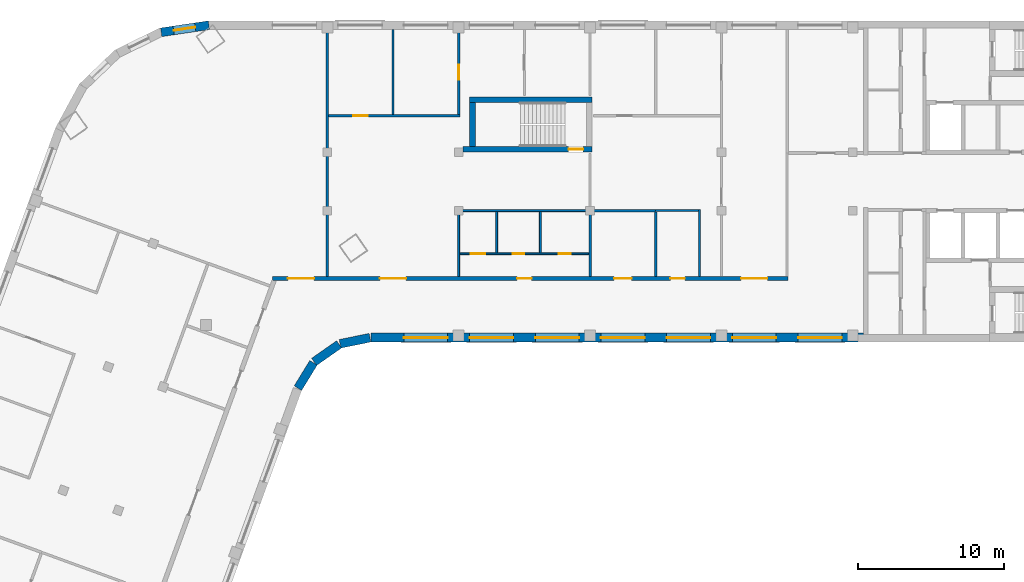
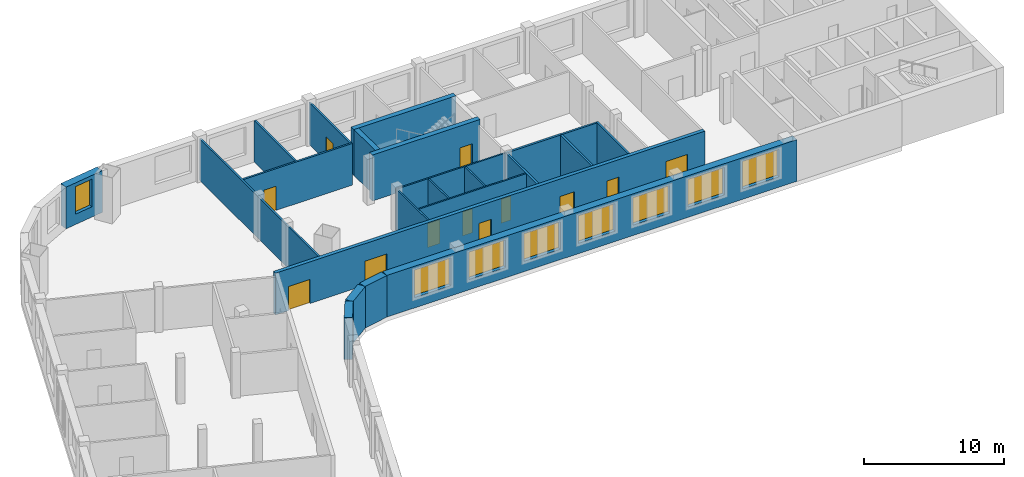
# One storey, part 4 of 8: 23 walls, 12 doors, 8 windows, 20 openings.
"""IFC4 building model written with IfcOpenShell, lengths in metres."""

from ifc_helpers import new_model, si_unit, direction, frame, frame_2d, origin, place, context, subcontext, project, spatial, rectangle, extrude, material, layer, layer_set, type_object, element, fill, save


model = new_model("IFC4")

# Units and contexts
model_context = context("Model", 3, precision=1e-05, world=origin(), true_north=direction((0.0, 1.0)))
body_context = subcontext(model_context, "Body", "Model", "MODEL_VIEW")
ifc_project = project(units=[si_unit("LENGTHUNIT", "METRE"), si_unit("AREAUNIT", "SQUARE_METRE"), si_unit("VOLUMEUNIT", "CUBIC_METRE"), si_unit("PLANEANGLEUNIT", "RADIAN"), si_unit("MASSUNIT", "GRAM", prefix="KILO")], contexts=[model_context])

# Site, building, storey
site_placement = place(None, origin())
site = spatial("IfcSite", under=ifc_project, at=site_placement, CompositionType="ELEMENT")
building_placement = place(site_placement, origin())
building = spatial("IfcBuilding", under=site, at=building_placement, Name="Skarvind Civic Tower", CompositionType="ELEMENT")
storey_placement = place(building_placement, frame((0.0, 0.0, 224.0)))
storey = spatial("IfcBuildingStorey", under=building, at=storey_placement, Name="L53", CompositionType="ELEMENT", Elevation=224.0)

# Walls
ifc_material_1 = material(Name="Acoustic gypsum board on steel studs", Category="steel")
ifc_layer_1 = layer(ifc_material_1, 0.175048828125)
ifc_layer_set_1 = layer_set([ifc_layer_1], Name="ACOUSTIC MEETING-ROOM PARTITION 175")
wall_type_1 = type_object("IfcWallType", Name="ACOUSTIC MEETING-ROOM PARTITION 175", PredefinedType="PARTITIONING", material=ifc_layer_set_1)
for number, where, z_axis, x_axis, name in (
    (1, (72.25, 121.5, 0.0), (0.0, 0.0, 1.0), (0.0, 1.0, 0.0), "Partition 53.027"),
    (2, (72.25, 126.0, 0.0), (0.0, 0.0, 1.0), (1.0, 0.0, 0.0), "Partition 53.029"),
):
    element("IfcWall", number, at=place(storey_placement, frame(where, z_axis=z_axis, x_axis=x_axis)), inside=storey, type_object=wall_type_1, Name=name, PredefinedType="PARTITIONING", context=body_context, shape_type="SweptSolid", body=[
        extrude(rectangle(XDim=4.5, YDim=0.175048828125, at=frame_2d((2.25, 0.0))), origin(), (0.0, 0.0, 1.0), 3.625),
    ])
wall_1_placement = place(storey_placement, frame((76.75, 125.912109375, 0.0), z_axis=(0.0, 0.0, 1.0), x_axis=(0.0, -1.0, 0.0)))
element("IfcWall", 3, at=wall_1_placement, inside=storey, type_object=wall_type_1, Name="Partition 53.032", PredefinedType="PARTITIONING", context=body_context, shape_type="SweptSolid", body=[
    extrude(rectangle(XDim=4.412109375, YDim=0.175048828125, at=frame_2d((2.2060546875, 0.0))), origin(), (0.0, 0.0, 1.0), 3.625),
])

# Wall, openings, doors
ifc_material_2 = material(Name="Fire-rated gypsum board on steel studs", Category="steel")
ifc_layer_2 = layer(ifc_material_2, 0.300048828125)
ifc_layer_set_2 = layer_set([ifc_layer_2], Name="CORRIDOR WALL 300")
wall_type_2 = type_object("IfcWallType", Name="CORRIDOR WALL 300", PredefinedType="PARTITIONING", material=ifc_layer_set_2)
wall_2_placement = place(storey_placement, frame((50.506103515625, 121.35009765625, 0.0), z_axis=(0.0, 0.0, 1.0), x_axis=(1.0, 0.0, 0.0)))
wall_2 = element("IfcWall", 4, at=wall_2_placement, inside=storey, type_object=wall_type_2, Name="Partition 53.016", PredefinedType="PARTITIONING", context=body_context, shape_type="SweptSolid", body=[
    extrude(rectangle(XDim=35.31884765625, YDim=0.300048828125, at=frame_2d((17.659423828125, 0.0))), origin(), (0.0, 0.0, 1.0), 3.625),
])
opening_1_placement = place(wall_2_placement, frame((27.243896484375, 0.0, 0.0)))
opening_1 = element("IfcOpeningElement", 5, at=opening_1_placement, cuts=wall_2, Name="Opening L53-D002", PredefinedType="OPENING", context=body_context, shape_type="SweptSolid", body=[
    extrude(rectangle(XDim=1.0, YDim=2.10009765625, at=frame_2d((0.5, 1.050048828125))), frame((0.0, 0.159912109375, 0.0), z_axis=(0.0, -1.0, 0.0), x_axis=(1.0, 0.0, 0.0)), (0.0, 0.0, 1.0), 0.320068359375),
])
opening_2_placement = place(wall_2_placement, frame((23.39404296875, 0.0, 0.0)))
opening_2 = element("IfcOpeningElement", 6, at=opening_2_placement, cuts=wall_2, Name="Opening L53-D003", PredefinedType="OPENING", context=body_context, shape_type="SweptSolid", body=[
    extrude(rectangle(XDim=1.199951171875, YDim=2.10009765625, at=frame_2d((0.60009765625, 1.050048828125))), frame((0.0, 0.159912109375, 0.0), z_axis=(0.0, -1.0, 0.0), x_axis=(1.0, 0.0, 0.0)), (0.0, 0.0, 1.0), 0.320068359375),
])
opening_3_placement = place(wall_2_placement, frame((32.093994140625, 0.0, 0.0)))
opening_3 = element("IfcOpeningElement", 7, at=opening_3_placement, cuts=wall_2, Name="Opening L53-D006", PredefinedType="OPENING", context=body_context, shape_type="SweptSolid", body=[
    extrude(rectangle(XDim=1.800048828125, YDim=2.10009765625, at=frame_2d((0.89990234375, 1.050048828125))), frame((0.0, 0.159912109375, 0.0), z_axis=(0.0, -1.0, 0.0), x_axis=(1.0, 0.0, 0.0)), (0.0, 0.0, 1.0), 0.320068359375),
])
opening_4_placement = place(wall_2_placement, frame((16.743896484375, 0.0, 0.0)))
opening_4 = element("IfcOpeningElement", 8, at=opening_4_placement, cuts=wall_2, Name="Opening L53-D007", PredefinedType="OPENING", context=body_context, shape_type="SweptSolid", body=[
    extrude(rectangle(XDim=1.0, YDim=2.10009765625, at=frame_2d((0.5, 1.050048828125))), frame((0.0, 0.159912109375, 0.0), z_axis=(0.0, -1.0, 0.0), x_axis=(1.0, 0.0, 0.0)), (0.0, 0.0, 1.0), 0.320068359375),
])
opening_5_placement = place(wall_2_placement, frame((7.343994140625, 0.0, 0.0)))
opening_5 = element("IfcOpeningElement", 9, at=opening_5_placement, cuts=wall_2, Name="Opening L53-D014", PredefinedType="OPENING", context=body_context, shape_type="SweptSolid", body=[
    extrude(rectangle(XDim=1.800048828125, YDim=2.10009765625, at=frame_2d((0.89990234375, 1.050048828125))), frame((0.0, 0.159912109375, 0.0), z_axis=(0.0, -1.0, 0.0), x_axis=(1.0, 0.0, 0.0)), (0.0, 0.0, 1.0), 0.320068359375),
])
opening_6_placement = place(wall_2_placement, frame((1.047119140625, 0.0, 0.0)))
opening_6 = element("IfcOpeningElement", 10, at=opening_6_placement, cuts=wall_2, Name="Opening L53-D022", PredefinedType="OPENING", context=body_context, shape_type="SweptSolid", body=[
    extrude(rectangle(XDim=1.800048828125, YDim=2.10009765625, at=frame_2d((0.89990234375, 1.050048828125))), frame((0.0, 0.159912109375, 0.0), z_axis=(0.0, -1.0, 0.0), x_axis=(1.0, 0.0, 0.0)), (0.0, 0.0, 1.0), 0.320068359375),
])
ifc_material_3 = material(Name="Fire-rated timber door leaf", Category="wood")
door_type_1 = type_object("IfcDoorType", Name="FD1 1000x2100", OperationType="NOTDEFINED", PredefinedType="DOOR", material=ifc_material_3)
door_1_placement = place(opening_1_placement, origin())
door_1 = element("IfcDoor", 11, at=door_1_placement, inside=storey, type_object=door_type_1, Name="Door L53-D002", OperationType="SINGLE_SWING_LEFT", OverallHeight=2.10009765625, OverallWidth=1.0, PredefinedType="DOOR", context=body_context, shape_type="SweptSolid", body=[
    extrude(rectangle(XDim=1.0, YDim=2.10009765625, at=frame_2d((0.5, 1.050048828125))), frame((0.0, 0.02490234375, 0.0), z_axis=(0.0, -1.0, 0.0), x_axis=(1.0, 0.0, 0.0)), (0.0, 0.0, 1.0), 0.050048828125),
])
fill(opening_1, door_1)
door_2_placement = place(opening_4_placement, origin())
door_2 = element("IfcDoor", 12, at=door_2_placement, inside=storey, type_object=door_type_1, Name="Door L53-D007", OperationType="SINGLE_SWING_LEFT", OverallHeight=2.10009765625, OverallWidth=1.0, PredefinedType="DOOR", context=body_context, shape_type="SweptSolid", body=[
    extrude(rectangle(XDim=1.0, YDim=2.10009765625, at=frame_2d((0.5, 1.050048828125))), frame((0.0, 0.02490234375, 0.0), z_axis=(0.0, -1.0, 0.0), x_axis=(1.0, 0.0, 0.0)), (0.0, 0.0, 1.0), 0.050048828125),
])
fill(opening_4, door_2)
door_type_2 = type_object("IfcDoorType", Name="FD4 1800x2100", OperationType="NOTDEFINED", PredefinedType="DOOR", material=ifc_material_3)
door_3_placement = place(opening_3_placement, origin())
door_3 = element("IfcDoor", 13, at=door_3_placement, inside=storey, type_object=door_type_2, Name="Door L53-D006", OperationType="DOUBLE_DOOR_SINGLE_SWING", OverallHeight=2.10009765625, OverallWidth=1.800048828125, PredefinedType="DOOR", context=body_context, shape_type="SweptSolid", body=[
    extrude(rectangle(XDim=1.800048828125, YDim=2.10009765625, at=frame_2d((0.89990234375, 1.050048828125))), frame((0.0, 0.02490234375, 0.0), z_axis=(0.0, -1.0, 0.0), x_axis=(1.0, 0.0, 0.0)), (0.0, 0.0, 1.0), 0.050048828125),
])
fill(opening_3, door_3)
door_4_placement = place(opening_5_placement, origin())
door_4 = element("IfcDoor", 14, at=door_4_placement, inside=storey, type_object=door_type_2, Name="Door L53-D014", OperationType="DOUBLE_DOOR_SINGLE_SWING", OverallHeight=2.10009765625, OverallWidth=1.800048828125, PredefinedType="DOOR", context=body_context, shape_type="SweptSolid", body=[
    extrude(rectangle(XDim=1.800048828125, YDim=2.10009765625, at=frame_2d((0.89990234375, 1.050048828125))), frame((0.0, 0.02490234375, 0.0), z_axis=(0.0, -1.0, 0.0), x_axis=(1.0, 0.0, 0.0)), (0.0, 0.0, 1.0), 0.050048828125),
])
fill(opening_5, door_4)
door_5_placement = place(opening_6_placement, origin())
door_5 = element("IfcDoor", 15, at=door_5_placement, inside=storey, type_object=door_type_2, Name="Door L53-D022", OperationType="DOUBLE_DOOR_SINGLE_SWING", OverallHeight=2.10009765625, OverallWidth=1.800048828125, PredefinedType="DOOR", context=body_context, shape_type="SweptSolid", body=[
    extrude(rectangle(XDim=1.800048828125, YDim=2.10009765625, at=frame_2d((0.89990234375, 1.050048828125))), frame((0.0, 0.02490234375, 0.0), z_axis=(0.0, -1.0, 0.0), x_axis=(1.0, 0.0, 0.0)), (0.0, 0.0, 1.0), 0.050048828125),
])
fill(opening_6, door_5)
door_type_3 = type_object("IfcDoorType", Name="FD6 1200x2100 DOUBLE", OperationType="NOTDEFINED", PredefinedType="DOOR", material=ifc_material_3)
door_6_placement = place(opening_2_placement, origin())
door_6 = element("IfcDoor", 16, at=door_6_placement, inside=storey, type_object=door_type_3, Name="Door L53-D003", OperationType="DOUBLE_DOOR_SINGLE_SWING", OverallHeight=2.10009765625, OverallWidth=1.199951171875, PredefinedType="DOOR", context=body_context, shape_type="SweptSolid", body=[
    extrude(rectangle(XDim=1.199951171875, YDim=2.10009765625, at=frame_2d((0.60009765625, 1.050048828125))), frame((0.0, 0.02490234375, 0.0), z_axis=(0.0, -1.0, 0.0), x_axis=(1.0, 0.0, 0.0)), (0.0, 0.0, 1.0), 0.050048828125),
])
fill(opening_2, door_6)

# Wall, opening, door
ifc_material_4 = material(Name="Concrete C60", Category="concrete")
ifc_layer_3 = layer(ifc_material_4, 0.39990234375)
ifc_layer_set_3 = layer_set([ifc_layer_3], Name="Core wall 400 C60")
wall_type_3 = type_object("IfcWallType", Name="Core wall 400 C60", PredefinedType="SHEAR", material=ifc_layer_set_3)
wall_3_placement = place(storey_placement, frame((63.550048828125, 130.199951171875, 0.0), z_axis=(0.0, 0.0, 1.0), x_axis=(1.0, 0.0, 0.0)))
wall_3 = element("IfcWall", 17, at=wall_3_placement, inside=storey, type_object=wall_type_3, Name="Core wall CM inner L53", PredefinedType="SHEAR", context=body_context, shape_type="SweptSolid", body=[
    extrude(rectangle(XDim=8.849853515625, YDim=0.39990234375, at=frame_2d((4.4248046875, 0.0))), origin(), (0.0, 0.0, 1.0), 4.0),
])
opening_7_placement = place(wall_3_placement, frame((7.22509765625, 0.0, 0.0)))
opening_7 = element("IfcOpeningElement", 18, at=opening_7_placement, cuts=wall_3, Name="Opening D-L53-CM-01", PredefinedType="OPENING", context=body_context, shape_type="SweptSolid", body=[
    extrude(rectangle(XDim=1.0, YDim=2.10009765625, at=frame_2d((0.5, 1.050048828125))), frame((0.0, 0.2099609375, 0.0), z_axis=(0.0, -1.0, 0.0), x_axis=(1.0, 0.0, 0.0)), (0.0, 0.0, 1.0), 0.419921875),
])
ifc_material_5 = material(Name="Fire-rated steel door", Category="steel")
door_type_4 = type_object("IfcDoorType", Name="Fire door 1000", OperationType="NOTDEFINED", PredefinedType="DOOR", material=ifc_material_5)
door_7_placement = place(opening_7_placement, origin())
door_7 = element("IfcDoor", 19, at=door_7_placement, inside=storey, type_object=door_type_4, Name="Fire door", OperationType="SINGLE_SWING_LEFT", OverallHeight=2.10009765625, OverallWidth=1.0, PredefinedType="DOOR", context=body_context, shape_type="SweptSolid", body=[
    extrude(rectangle(XDim=1.0, YDim=2.10009765625, at=frame_2d((0.5, 1.050048828125))), frame((0.0, 0.02490234375, 0.0), z_axis=(0.0, -1.0, 0.0), x_axis=(1.0, 0.0, 0.0)), (0.0, 0.0, 1.0), 0.050048828125),
])
fill(opening_7, door_7)

# Walls
wall_4_placement = place(storey_placement, frame((64.0, 133.60009765625, 0.0), z_axis=(0.0, 0.0, 1.0), x_axis=(1.0, 0.0, 0.0)))
element("IfcWall", 20, at=wall_4_placement, inside=storey, type_object=wall_type_3, Name="Core wall CM outer L53", PredefinedType="SHEAR", context=body_context, shape_type="SweptSolid", body=[
    extrude(rectangle(XDim=8.39990234375, YDim=0.39990234375, at=frame_2d((4.199951171875, 0.0))), origin(), (0.0, 0.0, 1.0), 4.0),
])
wall_5_placement = place(storey_placement, frame((64.199951171875, 130.39990234375, 0.0), z_axis=(0.0, 0.0, 1.0), x_axis=(0.0, 1.0, 0.0)))
element("IfcWall", 21, at=wall_5_placement, inside=storey, type_object=wall_type_3, Name="Core wall CM west L53", PredefinedType="SHEAR", context=body_context, shape_type="SweptSolid", body=[
    extrude(rectangle(XDim=3.0, YDim=0.39990234375, at=frame_2d((1.5, 0.0))), origin(), (0.0, 0.0, 1.0), 4.0),
])
ifc_material_6 = material(Name="Plasterboard partition on steel studs", Category="steel")
ifc_layer_4 = layer(ifc_material_6, 0.14990234375)
ifc_layer_set_4 = layer_set([ifc_layer_4], Name="PARTITION 150")
wall_type_4 = type_object("IfcWallType", Name="PARTITION 150", PredefinedType="PARTITIONING", material=ifc_layer_set_4)
wall_6_placement = place(storey_placement, frame((54.25, 121.5, 0.0), z_axis=(0.0, 0.0, 1.0), x_axis=(0.0, 1.0, 0.0)))
element("IfcWall", 22, at=wall_6_placement, inside=storey, type_object=wall_type_4, Name="Partition 53.017", PredefinedType="PARTITIONING", context=body_context, shape_type="SweptSolid", body=[
    extrude(rectangle(XDim=16.89990234375, YDim=0.14990234375, at=frame_2d((8.449951171875, 0.0))), origin(), (0.0, 0.0, 1.0), 3.625),
])

# Wall, opening, door
wall_7_placement = place(storey_placement, frame((63.324951171875, 132.5, 0.0), z_axis=(0.0, 0.0, 1.0), x_axis=(-1.0, 0.0, 0.0)))
wall_7 = element("IfcWall", 23, at=wall_7_placement, inside=storey, type_object=wall_type_4, Name="Partition 53.018", PredefinedType="PARTITIONING", context=body_context, shape_type="SweptSolid", body=[
    extrude(rectangle(XDim=9.0, YDim=0.14990234375, at=frame_2d((4.5, 0.0))), origin(), (0.0, 0.0, 1.0), 3.625),
])
opening_8_placement = place(wall_7_placement, frame((6.297607421875, 0.0, 0.0)))
opening_8 = element("IfcOpeningElement", 24, at=opening_8_placement, cuts=wall_7, Name="Opening L53-D013", PredefinedType="OPENING", context=body_context, shape_type="SweptSolid", body=[
    extrude(rectangle(XDim=1.0, YDim=2.10009765625, at=frame_2d((0.5, 1.050048828125))), frame((0.0, 0.0849609375, 0.0), z_axis=(0.0, -1.0, 0.0), x_axis=(1.0, 0.0, 0.0)), (0.0, 0.0, 1.0), 0.169921875),
])
ifc_material_7 = material(Name="Timber door leaf", Category="wood")
door_type_5 = type_object("IfcDoorType", Name="D1 1000x2100", OperationType="NOTDEFINED", PredefinedType="DOOR", material=ifc_material_7)
door_8_placement = place(opening_8_placement, origin())
door_8 = element("IfcDoor", 25, at=door_8_placement, inside=storey, type_object=door_type_5, Name="Door L53-D013", OperationType="SINGLE_SWING_RIGHT", OverallHeight=2.10009765625, OverallWidth=1.0, PredefinedType="DOOR", context=body_context, shape_type="SweptSolid", body=[
    extrude(rectangle(XDim=1.0, YDim=2.10009765625, at=frame_2d((0.5, 1.050048828125))), frame((0.0, 0.02490234375, 0.0), z_axis=(0.0, -1.0, 0.0), x_axis=(1.0, 0.0, 0.0)), (0.0, 0.0, 1.0), 0.050048828125),
])
fill(opening_8, door_8)

# Wall
wall_8_placement = place(storey_placement, frame((58.75, 132.574951171875, 0.0), z_axis=(0.0, 0.0, 1.0), x_axis=(0.0, 1.0, 0.0)))
element("IfcWall", 26, at=wall_8_placement, inside=storey, type_object=wall_type_4, Name="Partition 53.019", PredefinedType="PARTITIONING", context=body_context, shape_type="SweptSolid", body=[
    extrude(rectangle(XDim=5.824951171875, YDim=0.14990234375, at=frame_2d((2.91259765625, 0.0))), origin(), (0.0, 0.0, 1.0), 3.625),
])

# Wall, opening, door
wall_9_placement = place(storey_placement, frame((63.25, 138.39990234375, 0.0), z_axis=(0.0, 0.0, 1.0), x_axis=(0.0, -1.0, 0.0)))
wall_9 = element("IfcWall", 27, at=wall_9_placement, inside=storey, type_object=wall_type_4, Name="Partition 53.023", PredefinedType="PARTITIONING", context=body_context, shape_type="SweptSolid", body=[
    extrude(rectangle(XDim=5.824951171875, YDim=0.14990234375, at=frame_2d((2.91259765625, 0.0))), origin(), (0.0, 0.0, 1.0), 3.625),
])
opening_9_placement = place(wall_9_placement, frame((2.422607421875, 0.0, 0.0)))
opening_9 = element("IfcOpeningElement", 28, at=opening_9_placement, cuts=wall_9, Name="Opening L53-D012", PredefinedType="OPENING", context=body_context, shape_type="SweptSolid", body=[
    extrude(rectangle(XDim=1.0, YDim=2.10009765625, at=frame_2d((0.5, 1.050048828125))), frame((0.0, 0.0849609375, 0.0), z_axis=(0.0, -1.0, 0.0), x_axis=(1.0, 0.0, 0.0)), (0.0, 0.0, 1.0), 0.169921875),
])
door_9_placement = place(opening_9_placement, origin())
door_9 = element("IfcDoor", 29, at=door_9_placement, inside=storey, type_object=door_type_5, Name="Door L53-D012", OperationType="SINGLE_SWING_LEFT", OverallHeight=2.10009765625, OverallWidth=1.0, PredefinedType="DOOR", context=body_context, shape_type="SweptSolid", body=[
    extrude(rectangle(XDim=1.0, YDim=2.10009765625, at=frame_2d((0.5, 1.050048828125))), frame((0.0, 0.02490234375, 0.0), z_axis=(0.0, -1.0, 0.0), x_axis=(1.0, 0.0, 0.0)), (0.0, 0.0, 1.0), 0.050048828125),
])
fill(opening_9, door_9)

# Walls
wall_10_placement = place(storey_placement, frame((79.75, 121.5, 0.0), z_axis=(0.0, 0.0, 1.0), x_axis=(0.0, 1.0, 0.0)))
element("IfcWall", 30, at=wall_10_placement, inside=storey, type_object=wall_type_4, Name="Partition 53.034", PredefinedType="PARTITIONING", context=body_context, shape_type="SweptSolid", body=[
    extrude(rectangle(XDim=4.574951171875, YDim=0.14990234375, at=frame_2d((2.28759765625, 0.0))), origin(), (0.0, 0.0, 1.0), 3.625),
])
wall_11_placement = place(storey_placement, frame((79.675048828125, 126.0, 0.0), z_axis=(0.0, 0.0, 1.0), x_axis=(-1.0, 0.0, 0.0)))
element("IfcWall", 31, at=wall_11_placement, inside=storey, type_object=wall_type_4, Name="Partition 53.035", PredefinedType="PARTITIONING", context=body_context, shape_type="SweptSolid", body=[
    extrude(rectangle(XDim=2.925048828125, YDim=0.14990234375, at=frame_2d((1.46240234375, 0.0))), origin(), (0.0, 0.0, 1.0), 3.625),
])
ifc_material_8 = material(Name="Moisture-resistant gypsum board on steel studs", Category="steel")
ifc_layer_5 = layer(ifc_material_8, 0.125)
ifc_layer_set_5 = layer_set([ifc_layer_5], Name="WC PARTITION 125")
wall_type_5 = type_object("IfcWallType", Name="WC PARTITION 125", PredefinedType="PARTITIONING", material=ifc_layer_set_5)
wall_12_placement = place(storey_placement, frame((63.25, 121.5, 0.0), z_axis=(0.0, 0.0, 1.0), x_axis=(0.0, 1.0, 0.0)))
element("IfcWall", 32, at=wall_12_placement, inside=storey, type_object=wall_type_5, Name="Partition 53.020", PredefinedType="PARTITIONING", context=body_context, shape_type="SweptSolid", body=[
    extrude(rectangle(XDim=4.43798828125, YDim=0.125, at=frame_2d((2.218994140625, 0.0))), origin(), (0.0, 0.0, 1.0), 3.625),
])

# Wall, openings, doors
wall_13_placement = place(storey_placement, frame((63.31201171875, 123.050048828125, 0.0), z_axis=(0.0, 0.0, 1.0), x_axis=(1.0, 0.0, 0.0)))
wall_13 = element("IfcWall", 33, at=wall_13_placement, inside=storey, type_object=wall_type_5, Name="Partition 53.021", PredefinedType="PARTITIONING", context=body_context, shape_type="SweptSolid", body=[
    extrude(rectangle(XDim=8.85009765625, YDim=0.125, at=frame_2d((4.425048828125, 0.0))), origin(), (0.0, 0.0, 1.0), 3.625),
])
opening_10_placement = place(wall_13_placement, frame((6.803955078125, 0.0, 0.0)))
opening_10 = element("IfcOpeningElement", 34, at=opening_10_placement, cuts=wall_13, Name="Opening L53-D008", PredefinedType="OPENING", context=body_context, shape_type="SweptSolid", body=[
    extrude(rectangle(XDim=0.800048828125, YDim=2.10009765625, at=frame_2d((0.39990234375, 1.050048828125))), frame((0.0, 0.072509765625, 0.0), z_axis=(0.0, -1.0, 0.0), x_axis=(1.0, 0.0, 0.0)), (0.0, 0.0, 1.0), 0.14501953125),
])
opening_11_placement = place(wall_13_placement, frame((3.637939453125, 0.0, 0.0)))
opening_11 = element("IfcOpeningElement", 35, at=opening_11_placement, cuts=wall_13, Name="Opening L53-D009", PredefinedType="OPENING", context=body_context, shape_type="SweptSolid", body=[
    extrude(rectangle(XDim=0.800048828125, YDim=2.10009765625, at=frame_2d((0.39990234375, 1.050048828125))), frame((0.0, 0.072509765625, 0.0), z_axis=(0.0, -1.0, 0.0), x_axis=(1.0, 0.0, 0.0)), (0.0, 0.0, 1.0), 0.14501953125),
])
opening_12_placement = place(wall_13_placement, frame((0.759033203125, 0.0, 0.0)))
opening_12 = element("IfcOpeningElement", 36, at=opening_12_placement, cuts=wall_13, Name="Opening L53-D010", PredefinedType="OPENING", context=body_context, shape_type="SweptSolid", body=[
    extrude(rectangle(XDim=1.0, YDim=2.10009765625, at=frame_2d((0.5, 1.050048828125))), frame((0.0, 0.072509765625, 0.0), z_axis=(0.0, -1.0, 0.0), x_axis=(1.0, 0.0, 0.0)), (0.0, 0.0, 1.0), 0.14501953125),
])
door_10_placement = place(opening_12_placement, origin())
door_10 = element("IfcDoor", 37, at=door_10_placement, inside=storey, type_object=door_type_5, Name="Door L53-D010", OperationType="SINGLE_SWING_LEFT", OverallHeight=2.10009765625, OverallWidth=1.0, PredefinedType="DOOR", context=body_context, shape_type="SweptSolid", body=[
    extrude(rectangle(XDim=1.0, YDim=2.10009765625, at=frame_2d((0.5, 1.050048828125))), frame((0.0, 0.02490234375, 0.0), z_axis=(0.0, -1.0, 0.0), x_axis=(1.0, 0.0, 0.0)), (0.0, 0.0, 1.0), 0.050048828125),
])
fill(opening_12, door_10)
door_type_6 = type_object("IfcDoorType", Name="DOOR 800X2100 TIMBER", OperationType="NOTDEFINED", PredefinedType="DOOR", material=ifc_material_7)
door_11_placement = place(opening_10_placement, origin())
door_11 = element("IfcDoor", 38, at=door_11_placement, inside=storey, type_object=door_type_6, Name="Door L53-D008", OperationType="SINGLE_SWING_RIGHT", OverallHeight=2.10009765625, OverallWidth=0.800048828125, PredefinedType="DOOR", context=body_context, shape_type="SweptSolid", body=[
    extrude(rectangle(XDim=0.800048828125, YDim=2.10009765625, at=frame_2d((0.39990234375, 1.050048828125))), frame((0.0, 0.02490234375, 0.0), z_axis=(0.0, -1.0, 0.0), x_axis=(1.0, 0.0, 0.0)), (0.0, 0.0, 1.0), 0.050048828125),
])
fill(opening_10, door_11)
door_12_placement = place(opening_11_placement, origin())
door_12 = element("IfcDoor", 39, at=door_12_placement, inside=storey, type_object=door_type_6, Name="Door L53-D009", OperationType="SINGLE_SWING_LEFT", OverallHeight=2.10009765625, OverallWidth=0.800048828125, PredefinedType="DOOR", context=body_context, shape_type="SweptSolid", body=[
    extrude(rectangle(XDim=0.800048828125, YDim=2.10009765625, at=frame_2d((0.39990234375, 1.050048828125))), frame((0.0, 0.02490234375, 0.0), z_axis=(0.0, -1.0, 0.0), x_axis=(1.0, 0.0, 0.0)), (0.0, 0.0, 1.0), 0.050048828125),
])
fill(opening_11, door_12)

# Walls
wall_14_placement = place(storey_placement, frame((63.18798828125, 126.0, 0.0), z_axis=(0.0, 0.0, 1.0), x_axis=(1.0, 0.0, 0.0)))
element("IfcWall", 40, at=wall_14_placement, inside=storey, type_object=wall_type_5, Name="Partition 53.022", PredefinedType="PARTITIONING", context=body_context, shape_type="SweptSolid", body=[
    extrude(rectangle(XDim=9.06201171875, YDim=0.125, at=frame_2d((4.531005859375, 0.0))), origin(), (0.0, 0.0, 1.0), 3.625),
])
for number, where, z_axis, x_axis, name in (
    (41, (65.85009765625, 125.93798828125, 0.0), (0.0, 0.0, 1.0), (0.0, -1.0, 0.0), "Partition 53.024"),
    (42, (68.85009765625, 125.93798828125, 0.0), (0.0, 0.0, 1.0), (0.0, -1.0, 0.0), "Partition 53.026"),
):
    element("IfcWall", number, at=place(storey_placement, frame(where, z_axis=z_axis, x_axis=x_axis)), inside=storey, type_object=wall_type_5, Name=name, PredefinedType="PARTITIONING", context=body_context, shape_type="SweptSolid", body=[
        extrude(rectangle(XDim=2.825927734375, YDim=0.125, at=frame_2d((1.4130859375, 0.0))), origin(), (0.0, 0.0, 1.0), 3.625),
    ])
ifc_material_9 = material(Name="Limestone masonry cladding on insulated backing", Category="masonry")
ifc_layer_6 = layer(ifc_material_9, 0.60009765625)
ifc_layer_set_6 = layer_set([ifc_layer_6], Name="WX1 STONE FACADE WALL 600")
wall_type_6 = type_object("IfcWallType", Name="WX1 STONE FACADE WALL 600", PredefinedType="SOLIDWALL", material=ifc_layer_set_6)
wall_15_placement = place(storey_placement, frame((53.30517578125, 115.578369140625, 0.0), z_axis=(0.0, 0.0, 1.0), x_axis=(-0.522402266438, -0.852699168535, 0.0)))
element("IfcWall", 43, at=wall_15_placement, inside=storey, type_object=wall_type_6, Name="STONE FACADE WALL", PredefinedType="SOLIDWALL", context=body_context, shape_type="SweptSolid", body=[
    extrude(rectangle(XDim=2.042236328125, YDim=0.60009765625, at=frame_2d((1.02099609375, 0.0))), origin(), (0.0, 0.0, 1.0), 3.625),
])
for number, where, z_axis, x_axis, name in (
    (44, (55.061767578125, 116.8388671875, 0.0), (0.0, 0.0, 1.0), (-0.819122269495, -0.573618956815, 0.0), "STONE FACADE WALL"),
    (45, (57.17529296875, 117.2939453125, 0.0), (0.0, 0.0, 1.0), (-0.97996099083, -0.19918949885, 0.0), "STONE FACADE WALL"),
):
    element("IfcWall", number, at=place(storey_placement, frame(where, z_axis=z_axis, x_axis=x_axis)), inside=storey, type_object=wall_type_6, Name=name, PredefinedType="SOLIDWALL", context=body_context, shape_type="SweptSolid", body=[
        extrude(rectangle(XDim=2.09228515625, YDim=0.60009765625, at=frame_2d((1.046142578125, 0.0))), origin(), (0.0, 0.0, 1.0), 3.625),
    ])

# Wall, openings, windows
wall_16_placement = place(storey_placement, frame((90.97998046875, 117.300048828125, 0.0), z_axis=(0.0, 0.0, 1.0), x_axis=(-1.0, 0.0, 0.0)))
wall_16 = element("IfcWall", 46, at=wall_16_placement, inside=storey, type_object=wall_type_6, Name="STONE FACADE WALL", PredefinedType="SOLIDWALL", context=body_context, shape_type="SweptSolid", body=[
    extrude(rectangle(XDim=33.744873046875, YDim=0.60009765625, at=frame_2d((16.87255859375, 0.0))), origin(), (0.0, 0.0, 1.0), 3.625),
])
opening_13_placement = place(wall_16_placement, frame((1.47998046875, 0.0, 0.89990234375)))
opening_13 = element("IfcOpeningElement", 47, at=opening_13_placement, cuts=wall_16, Name="Opening WN1", PredefinedType="OPENING", context=body_context, shape_type="SweptSolid", body=[
    extrude(rectangle(XDim=3.0, YDim=2.39990234375, at=frame_2d((1.5, 1.199951171875))), frame((0.0, 0.31005859375, 0.0), z_axis=(0.0, -1.0, 0.0), x_axis=(1.0, 0.0, 0.0)), (0.0, 0.0, 1.0), 0.6201171875),
])
opening_14_placement = place(wall_16_placement, frame((5.97998046875, 0.0, 0.89990234375)))
opening_14 = element("IfcOpeningElement", 48, at=opening_14_placement, cuts=wall_16, Name="Opening WN1", PredefinedType="OPENING", context=body_context, shape_type="SweptSolid", body=[
    extrude(rectangle(XDim=3.0, YDim=2.39990234375, at=frame_2d((1.5, 1.199951171875))), frame((0.0, 0.31005859375, 0.0), z_axis=(0.0, -1.0, 0.0), x_axis=(1.0, 0.0, 0.0)), (0.0, 0.0, 1.0), 0.6201171875),
])
opening_15_placement = place(wall_16_placement, frame((10.47998046875, 0.0, 0.89990234375)))
opening_15 = element("IfcOpeningElement", 49, at=opening_15_placement, cuts=wall_16, Name="Opening WN1", PredefinedType="OPENING", context=body_context, shape_type="SweptSolid", body=[
    extrude(rectangle(XDim=3.0, YDim=2.39990234375, at=frame_2d((1.5, 1.199951171875))), frame((0.0, 0.31005859375, 0.0), z_axis=(0.0, -1.0, 0.0), x_axis=(1.0, 0.0, 0.0)), (0.0, 0.0, 1.0), 0.6201171875),
])
opening_16_placement = place(wall_16_placement, frame((14.97998046875, 0.0, 0.89990234375)))
opening_16 = element("IfcOpeningElement", 50, at=opening_16_placement, cuts=wall_16, Name="Opening WN1", PredefinedType="OPENING", context=body_context, shape_type="SweptSolid", body=[
    extrude(rectangle(XDim=3.0, YDim=2.39990234375, at=frame_2d((1.5, 1.199951171875))), frame((0.0, 0.31005859375, 0.0), z_axis=(0.0, -1.0, 0.0), x_axis=(1.0, 0.0, 0.0)), (0.0, 0.0, 1.0), 0.6201171875),
])
opening_17_placement = place(wall_16_placement, frame((19.47998046875, 0.0, 0.89990234375)))
opening_17 = element("IfcOpeningElement", 51, at=opening_17_placement, cuts=wall_16, Name="Opening WN1", PredefinedType="OPENING", context=body_context, shape_type="SweptSolid", body=[
    extrude(rectangle(XDim=3.0, YDim=2.39990234375, at=frame_2d((1.5, 1.199951171875))), frame((0.0, 0.31005859375, 0.0), z_axis=(0.0, -1.0, 0.0), x_axis=(1.0, 0.0, 0.0)), (0.0, 0.0, 1.0), 0.6201171875),
])
opening_18_placement = place(wall_16_placement, frame((23.97998046875, 0.0, 0.89990234375)))
opening_18 = element("IfcOpeningElement", 52, at=opening_18_placement, cuts=wall_16, Name="Opening WN1", PredefinedType="OPENING", context=body_context, shape_type="SweptSolid", body=[
    extrude(rectangle(XDim=3.0, YDim=2.39990234375, at=frame_2d((1.5, 1.199951171875))), frame((0.0, 0.31005859375, 0.0), z_axis=(0.0, -1.0, 0.0), x_axis=(1.0, 0.0, 0.0)), (0.0, 0.0, 1.0), 0.6201171875),
])
opening_19_placement = place(wall_16_placement, frame((28.47998046875, 0.0, 0.89990234375)))
opening_19 = element("IfcOpeningElement", 53, at=opening_19_placement, cuts=wall_16, Name="Opening WN1", PredefinedType="OPENING", context=body_context, shape_type="SweptSolid", body=[
    extrude(rectangle(XDim=3.0, YDim=2.39990234375, at=frame_2d((1.5, 1.199951171875))), frame((0.0, 0.31005859375, 0.0), z_axis=(0.0, -1.0, 0.0), x_axis=(1.0, 0.0, 0.0)), (0.0, 0.0, 1.0), 0.6201171875),
])
ifc_material_10 = material(Name="Timber frame, double glazing, timber-lined reveal", Category="wood")
window_type_1 = type_object("IfcWindowType", Name="WN1 PUNCHED STONE WINDOW 3000 x 2400", PartitioningType="SINGLE_PANEL", PredefinedType="WINDOW", material=ifc_material_10)
window_1_placement = place(opening_13_placement, origin())
window_1 = element("IfcWindow", 54, at=window_1_placement, inside=storey, type_object=window_type_1, Name="WN1 WINDOW", OverallHeight=2.39990234375, OverallWidth=3.0, PartitioningType="SINGLE_PANEL", PredefinedType="WINDOW", context=body_context, shape_type="SweptSolid", body=[
    extrude(rectangle(XDim=3.0, YDim=2.39990234375, at=frame_2d((1.5, 1.199951171875))), frame((0.0, 0.030029296875, 0.0), z_axis=(0.0, -1.0, 0.0), x_axis=(1.0, 0.0, 0.0)), (0.0, 0.0, 1.0), 0.06005859375),
])
fill(opening_13, window_1)
window_2_placement = place(opening_14_placement, origin())
window_2 = element("IfcWindow", 55, at=window_2_placement, inside=storey, type_object=window_type_1, Name="WN1 WINDOW", OverallHeight=2.39990234375, OverallWidth=3.0, PartitioningType="SINGLE_PANEL", PredefinedType="WINDOW", context=body_context, shape_type="SweptSolid", body=[
    extrude(rectangle(XDim=3.0, YDim=2.39990234375, at=frame_2d((1.5, 1.199951171875))), frame((0.0, 0.030029296875, 0.0), z_axis=(0.0, -1.0, 0.0), x_axis=(1.0, 0.0, 0.0)), (0.0, 0.0, 1.0), 0.06005859375),
])
fill(opening_14, window_2)
window_3_placement = place(opening_15_placement, origin())
window_3 = element("IfcWindow", 56, at=window_3_placement, inside=storey, type_object=window_type_1, Name="WN1 WINDOW", OverallHeight=2.39990234375, OverallWidth=3.0, PartitioningType="SINGLE_PANEL", PredefinedType="WINDOW", context=body_context, shape_type="SweptSolid", body=[
    extrude(rectangle(XDim=3.0, YDim=2.39990234375, at=frame_2d((1.5, 1.199951171875))), frame((0.0, 0.030029296875, 0.0), z_axis=(0.0, -1.0, 0.0), x_axis=(1.0, 0.0, 0.0)), (0.0, 0.0, 1.0), 0.06005859375),
])
fill(opening_15, window_3)
window_4_placement = place(opening_16_placement, origin())
window_4 = element("IfcWindow", 57, at=window_4_placement, inside=storey, type_object=window_type_1, Name="WN1 WINDOW", OverallHeight=2.39990234375, OverallWidth=3.0, PartitioningType="SINGLE_PANEL", PredefinedType="WINDOW", context=body_context, shape_type="SweptSolid", body=[
    extrude(rectangle(XDim=3.0, YDim=2.39990234375, at=frame_2d((1.5, 1.199951171875))), frame((0.0, 0.030029296875, 0.0), z_axis=(0.0, -1.0, 0.0), x_axis=(1.0, 0.0, 0.0)), (0.0, 0.0, 1.0), 0.06005859375),
])
fill(opening_16, window_4)
window_5_placement = place(opening_17_placement, origin())
window_5 = element("IfcWindow", 58, at=window_5_placement, inside=storey, type_object=window_type_1, Name="WN1 WINDOW", OverallHeight=2.39990234375, OverallWidth=3.0, PartitioningType="SINGLE_PANEL", PredefinedType="WINDOW", context=body_context, shape_type="SweptSolid", body=[
    extrude(rectangle(XDim=3.0, YDim=2.39990234375, at=frame_2d((1.5, 1.199951171875))), frame((0.0, 0.030029296875, 0.0), z_axis=(0.0, -1.0, 0.0), x_axis=(1.0, 0.0, 0.0)), (0.0, 0.0, 1.0), 0.06005859375),
])
fill(opening_17, window_5)
window_6_placement = place(opening_18_placement, origin())
window_6 = element("IfcWindow", 59, at=window_6_placement, inside=storey, type_object=window_type_1, Name="WN1 WINDOW", OverallHeight=2.39990234375, OverallWidth=3.0, PartitioningType="SINGLE_PANEL", PredefinedType="WINDOW", context=body_context, shape_type="SweptSolid", body=[
    extrude(rectangle(XDim=3.0, YDim=2.39990234375, at=frame_2d((1.5, 1.199951171875))), frame((0.0, 0.030029296875, 0.0), z_axis=(0.0, -1.0, 0.0), x_axis=(1.0, 0.0, 0.0)), (0.0, 0.0, 1.0), 0.06005859375),
])
fill(opening_18, window_6)
window_7_placement = place(opening_19_placement, origin())
window_7 = element("IfcWindow", 60, at=window_7_placement, inside=storey, type_object=window_type_1, Name="WN1 WINDOW", OverallHeight=2.39990234375, OverallWidth=3.0, PartitioningType="SINGLE_PANEL", PredefinedType="WINDOW", context=body_context, shape_type="SweptSolid", body=[
    extrude(rectangle(XDim=3.0, YDim=2.39990234375, at=frame_2d((1.5, 1.199951171875))), frame((0.0, 0.030029296875, 0.0), z_axis=(0.0, -1.0, 0.0), x_axis=(1.0, 0.0, 0.0)), (0.0, 0.0, 1.0), 0.06005859375),
])
fill(opening_19, window_7)

# Wall, opening, window
wall_17_placement = place(storey_placement, frame((42.872802734375, 138.21728515625, 0.0), z_axis=(0.0, 0.0, 1.0), x_axis=(0.989110792192, 0.14717282619, 0.0)))
wall_17 = element("IfcWall", 61, at=wall_17_placement, inside=storey, type_object=wall_type_6, Name="STONE FACADE WALL", PredefinedType="SOLIDWALL", context=body_context, shape_type="SweptSolid", body=[
    extrude(rectangle(XDim=3.302734375, YDim=0.60009765625, at=frame_2d((1.6513671875, 0.0))), origin(), (0.0, 0.0, 1.0), 3.625),
])
opening_20_placement = place(wall_17_placement, frame((0.8564453125, 0.0, 0.89990234375)))
opening_20 = element("IfcOpeningElement", 62, at=opening_20_placement, cuts=wall_17, Name="Opening WN8", PredefinedType="OPENING", context=body_context, shape_type="SweptSolid", body=[
    extrude(rectangle(XDim=1.5, YDim=2.39990234375, at=frame_2d((0.75, 1.199951171875))), frame((0.0, 0.31005859375, 0.0), z_axis=(0.0, -1.0, 0.0), x_axis=(1.0, 0.0, 0.0)), (0.0, 0.0, 1.0), 0.6201171875),
])
window_type_2 = type_object("IfcWindowType", Name="WN8 ARC BAY WINDOW 1500 x 2400", PartitioningType="SINGLE_PANEL", PredefinedType="WINDOW", material=ifc_material_10)
window_8_placement = place(opening_20_placement, origin())
window_8 = element("IfcWindow", 63, at=window_8_placement, inside=storey, type_object=window_type_2, Name="WN8 WINDOW", OverallHeight=2.39990234375, OverallWidth=1.5, PartitioningType="SINGLE_PANEL", PredefinedType="WINDOW", context=body_context, shape_type="SweptSolid", body=[
    extrude(rectangle(XDim=1.5, YDim=2.39990234375, at=frame_2d((0.75, 1.199951171875))), frame((0.0, 0.030029296875, 0.0), z_axis=(0.0, -1.0, 0.0), x_axis=(1.0, 0.0, 0.0)), (0.0, 0.0, 1.0), 0.06005859375),
])
fill(opening_20, window_8)

save(model, "model.ifc")
